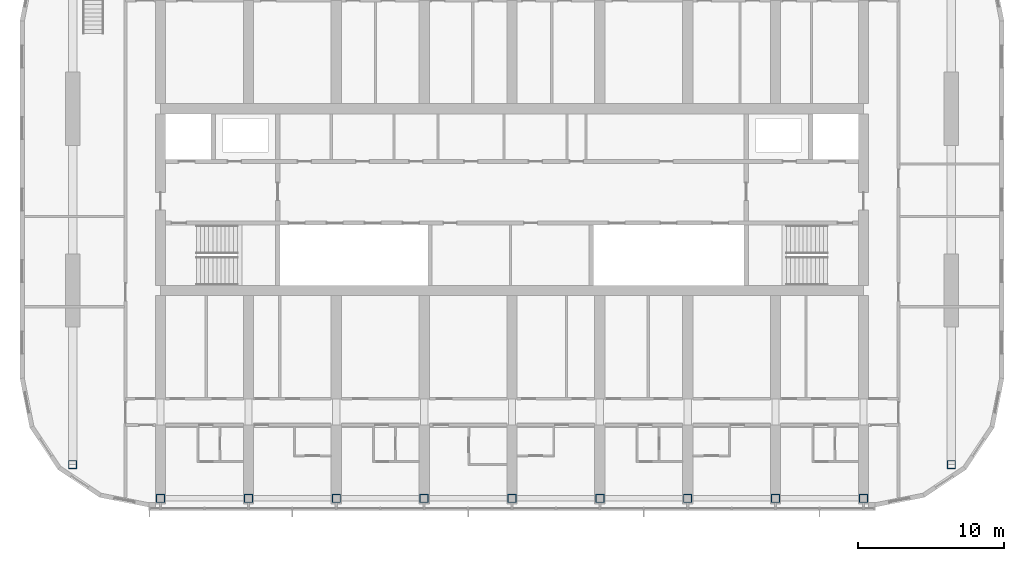
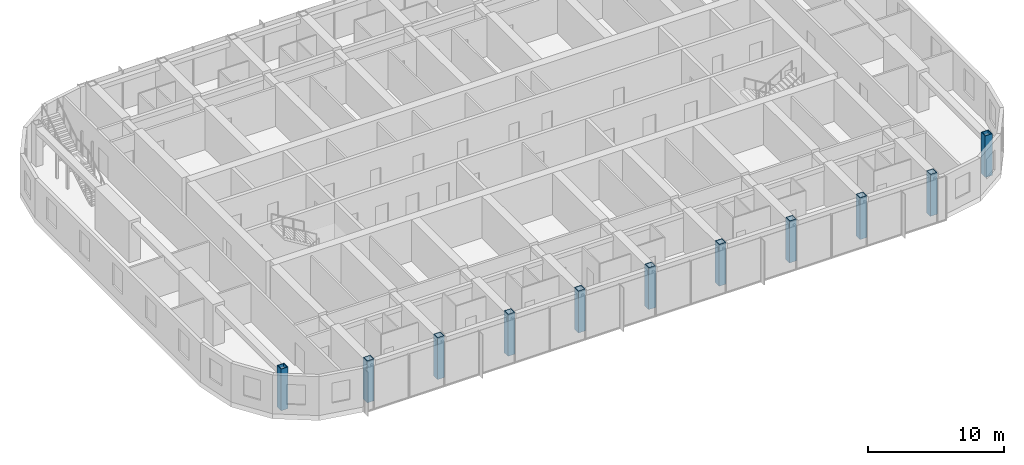
# One storey, part 1 of 26: 11 columns.
"""IFC4 building model written with IfcOpenShell, lengths in metres."""

from ifc_helpers import new_model, si_unit, direction, frame, origin, origin_2d, place, context, subcontext, project, spatial, hollow_rectangle, extrude, material, material_profile, profile_set, type_object, element, save


model = new_model("IFC4")

# Units and contexts
model_context = context("Model", 3, precision=1e-05, world=origin(), true_north=direction((0.0, 1.0)))
body_context = subcontext(model_context, "Body", "Model", "MODEL_VIEW")
ifc_project = project(units=[si_unit("LENGTHUNIT", "METRE"), si_unit("AREAUNIT", "SQUARE_METRE"), si_unit("VOLUMEUNIT", "CUBIC_METRE"), si_unit("PLANEANGLEUNIT", "RADIAN"), si_unit("MASSUNIT", "GRAM", prefix="KILO")], contexts=[model_context])

# Site, building, storey
site_placement = place(None, origin())
site = spatial("IfcSite", under=ifc_project, at=site_placement, CompositionType="ELEMENT")
building_placement = place(site_placement, origin())
building = spatial("IfcBuilding", under=site, at=building_placement, Name="Orbita Commons", CompositionType="ELEMENT")
storey_placement = place(building_placement, frame((0.0, 0.0, 231.550048828125)))
storey = spatial("IfcBuildingStorey", under=building, at=storey_placement, Name="L57", CompositionType="ELEMENT", Elevation=231.550048828125)

# Columns
ifc_material = material(Name="Steel ASTM A572 Gr 50 welded plate", Category="steel")
ifc_material_profile = material_profile(ifc_material, hollow_rectangle(XDim=0.60009765625, YDim=0.60009765625, WallThickness=0.06005859375, at=origin_2d()), Name="BOX 600x600x60")
ifc_profile_set = profile_set([ifc_material_profile], Name="Steel ASTM A572 Gr 50 welded plate")
column_type = type_object("IfcColumnType", Name="Steel column BOX 600x600x60", PredefinedType="COLUMN", material=ifc_profile_set)
for number, where, z_axis, x_axis, name in (
    (1, (18.0, 11.60009765625, 0.0), (0.0, 0.0, 1.0), (1.0, 0.0, 0.0), "Column 4/B L57"),
    (2, (24.0, 11.60009765625, 0.0), (0.0, 0.0, 1.0), (1.0, 0.0, 0.0), "Column 5/B L57"),
    (3, (30.0, 11.60009765625, 0.0), (0.0, 0.0, 1.0), (1.0, 0.0, 0.0), "Column 6/B L57"),
    (4, (36.0, 11.60009765625, 0.0), (0.0, 0.0, 1.0), (1.0, 0.0, 0.0), "Column 7/B L57"),
    (5, (42.0, 11.60009765625, 0.0), (0.0, 0.0, 1.0), (1.0, 0.0, 0.0), "Column 8/B L57"),
    (6, (48.0, 11.60009765625, 0.0), (0.0, 0.0, 1.0), (1.0, 0.0, 0.0), "Column 9/B L57"),
    (7, (54.0, 11.60009765625, 0.0), (0.0, 0.0, 1.0), (1.0, 0.0, 0.0), "Column 10/B L57"),
    (8, (60.0, 11.60009765625, 0.0), (0.0, 0.0, 1.0), (1.0, 0.0, 0.0), "Column 11/B L57"),
    (9, (66.0, 11.60009765625, 0.0), (0.0, 0.0, 1.0), (1.0, 0.0, 0.0), "Column 12/B L57"),
    (10, (12.0, 13.89990234375, 0.0), (0.0, 0.0, 1.0), (1.0, 0.0, 0.0), "Column 3/13.9 L57"),
    (11, (72.0, 13.89990234375, 0.0), (0.0, 0.0, 1.0), (1.0, 0.0, 0.0), "Column 13/13.9 L57"),
):
    element("IfcColumn", number, at=place(storey_placement, frame(where, z_axis=z_axis, x_axis=x_axis)), inside=storey, type_object=column_type, Name=name, PredefinedType="COLUMN", context=body_context, shape_type="SweptSolid", body=[
        extrude(hollow_rectangle(XDim=0.60009765625, YDim=0.60009765625, WallThickness=0.06005859375, at=origin_2d()), origin(), (0.0, 0.0, 1.0), 3.75),
    ])

save(model, "model.ifc")
